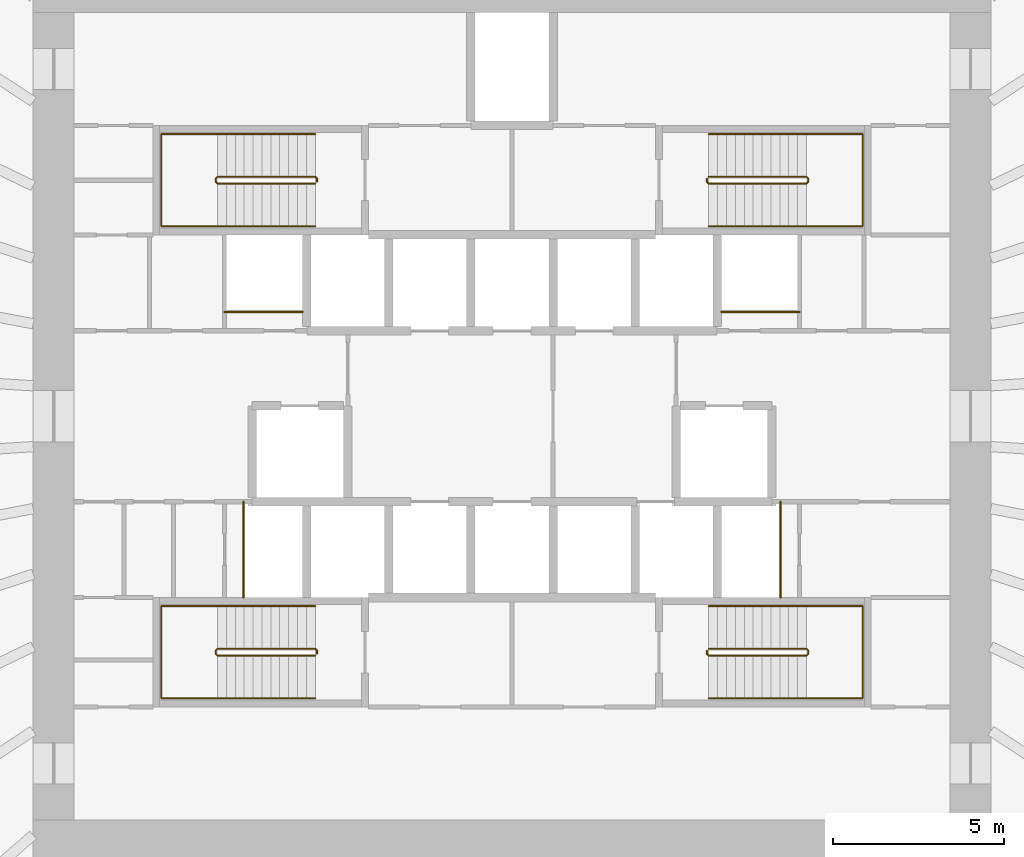
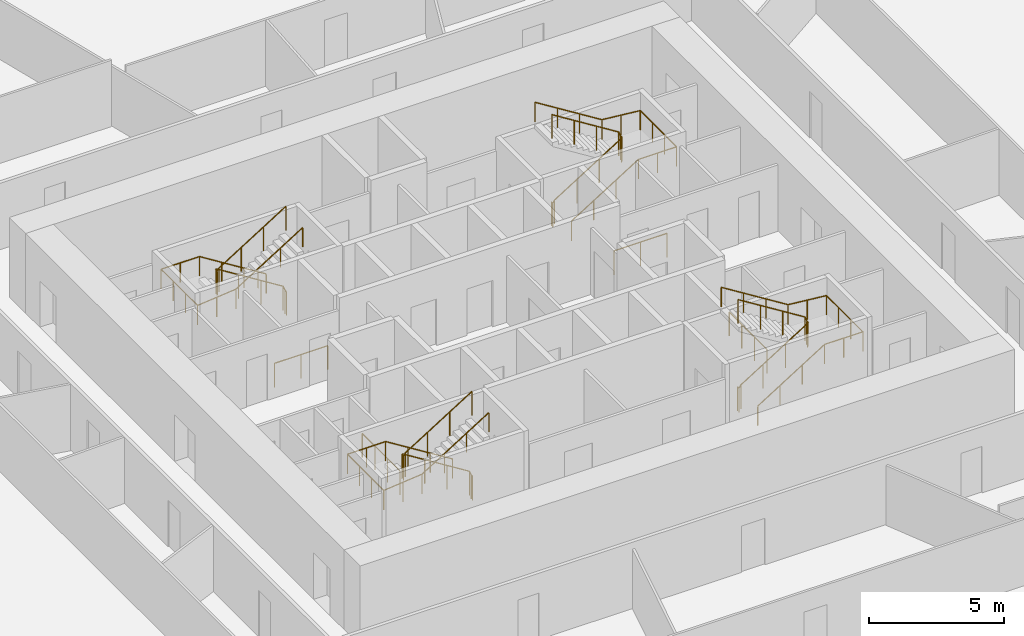
# One storey, part 10 of 10: 12 railings.
"""IFC4 building model written with IfcOpenShell, lengths in metres."""

from ifc_helpers import new_model, si_unit, direction, frame, origin, origin_2d, place, context, subcontext, project, spatial, circle, extrude, source, transform, mapped, material, type_object, element, save


model = new_model("IFC4")

# Units and contexts
model_context = context("Model", 3, precision=1e-05, world=origin(), true_north=direction((0.0, 1.0)))
body_context = subcontext(model_context, "Body", "Model", "MODEL_VIEW")
ifc_project = project(units=[si_unit("LENGTHUNIT", "METRE"), si_unit("AREAUNIT", "SQUARE_METRE"), si_unit("VOLUMEUNIT", "CUBIC_METRE"), si_unit("PLANEANGLEUNIT", "RADIAN"), si_unit("MASSUNIT", "GRAM", prefix="KILO")], contexts=[model_context])

# Site, building, storey
site_placement = place(None, origin())
site = spatial("IfcSite", under=ifc_project, at=site_placement, CompositionType="ELEMENT")
building_placement = place(site_placement, origin())
building = spatial("IfcBuilding", under=site, at=building_placement, Name="Embergate Tower", CompositionType="ELEMENT")
storey_placement = place(building_placement, frame((0.0, 0.0, 97.10009765625)))
storey = spatial("IfcBuildingStorey", under=building, at=storey_placement, Name="L20", CompositionType="ELEMENT", Elevation=97.10009765625)

# Railings
ifc_material_1 = material(Name="Stair handrail 900")
railing_type_1 = type_object("IfcRailingType", Name="Stair handrail 900", PredefinedType="HANDRAIL", material=ifc_material_1)
shared_shape_1 = source(origin(), body_context, "Body", "SweptSolid", [
    extrude(circle(Radius=0.02392578125, at=origin_2d()), frame((0.0, 0.0, 0.8759765625), z_axis=(-0.847994237388, 0.0, 0.530005446535), x_axis=(0.0, -1.0, 0.0)), (0.0, 0.0, 1.0), 3.372802734375),
    extrude(circle(Radius=0.02392578125, at=origin_2d()), frame((-2.860107421875, 0.0, 2.66357421875), z_axis=(-1.0, 0.0, 0.0), x_axis=(0.0, -1.0, 0.0)), (0.0, 0.0, 1.0), 1.639892578125),
    extrude(circle(Radius=0.02392578125, at=origin_2d()), frame((-4.5, 0.0, 2.66357421875), z_axis=(0.0, -1.0, 0.0), x_axis=(1.0, 0.0, 0.0)), (0.0, 0.0, 1.0), 2.699951171875),
    extrude(circle(Radius=0.02392578125, at=origin_2d()), frame((-4.5, -2.699951171875, 2.66357421875), z_axis=(0.995134983717, 0.0, 0.098520881967), x_axis=(0.0, 1.0, 0.0)), (0.0, 0.0, 1.0), 1.64794921875),
    extrude(circle(Radius=0.02392578125, at=origin_2d()), frame((-2.860107421875, -2.699951171875, 2.82568359375), z_axis=(0.847994237388, 0.0, 0.530005446535), x_axis=(0.0, 1.0, 0.0)), (0.0, 0.0, 1.0), 3.372802734375),
    extrude(circle(Radius=0.02099609375, at=origin_2d()), origin(), (0.0, 0.0, 1.0), 0.851806640625),
    extrude(circle(Radius=0.02099609375, at=origin_2d()), frame((-0.953369140625, 0.0, 0.595947265625)), (0.0, 0.0, 1.0), 0.851806640625),
    extrude(circle(Radius=0.02099609375, at=origin_2d()), frame((-1.90673828125, 0.0, 1.191650390625)), (0.0, 0.0, 1.0), 0.851806640625),
    extrude(circle(Radius=0.02099609375, at=origin_2d()), frame((-2.860107421875, 0.0, 1.78759765625)), (0.0, 0.0, 1.0), 0.851806640625),
    extrude(circle(Radius=0.02099609375, at=origin_2d()), frame((-3.68017578125, 0.0, 1.78759765625)), (0.0, 0.0, 1.0), 0.851806640625),
    extrude(circle(Radius=0.02099609375, at=origin_2d()), frame((-4.5, 0.0, 1.78759765625)), (0.0, 0.0, 1.0), 0.851806640625),
    extrude(circle(Radius=0.02099609375, at=origin_2d()), frame((-4.5, -0.89990234375, 1.78759765625)), (0.0, 0.0, 1.0), 0.851806640625),
    extrude(circle(Radius=0.02099609375, at=origin_2d()), frame((-4.5, -1.800048828125, 1.78759765625)), (0.0, 0.0, 1.0), 0.851806640625),
    extrude(circle(Radius=0.02099609375, at=origin_2d()), frame((-4.5, -2.699951171875, 1.78759765625)), (0.0, 0.0, 1.0), 0.851806640625),
    extrude(circle(Radius=0.02099609375, at=origin_2d()), frame((-3.68017578125, -2.699951171875, 1.86865234375)), (0.0, 0.0, 1.0), 0.851806640625),
    extrude(circle(Radius=0.02099609375, at=origin_2d()), frame((-2.860107421875, -2.699951171875, 1.949951171875)), (0.0, 0.0, 1.0), 0.851806640625),
    extrude(circle(Radius=0.02099609375, at=origin_2d()), frame((-1.90673828125, -2.699951171875, 2.5458984375)), (0.0, 0.0, 1.0), 0.851806640625),
    extrude(circle(Radius=0.02099609375, at=origin_2d()), frame((-0.953369140625, -2.699951171875, 3.1416015625)), (0.0, 0.0, 1.0), 0.851806640625),
    extrude(circle(Radius=0.02099609375, at=origin_2d()), frame((0.0, -2.699951171875, 3.737548828125)), (0.0, 0.0, 1.0), 0.851806640625),
])
for number, where, name in (
    (1, (-5.75, 8.25, 0.162353515625), "L20 ST1 stair handrail 1"),
    (2, (-5.75, -5.550048828125, 0.162353515625), "L20 ST3 stair handrail 1"),
):
    element("IfcRailing", number, at=place(storey_placement, frame(where)), inside=storey, type_object=railing_type_1, Name=name, PredefinedType="HANDRAIL", context=body_context, shape_type="MappedRepresentation", body=[
        mapped(shared_shape_1, transform((0.0, 0.0, 0.0))),
    ])
ifc_material_2 = material(Name="Stair guard 1100")
railing_type_2 = type_object("IfcRailingType", Name="Stair guard 1100", PredefinedType="GUARDRAIL", material=ifc_material_2)
shared_shape_2 = source(origin(), body_context, "Body", "SweptSolid", [
    extrude(circle(Radius=0.02392578125, at=origin_2d()), frame((0.0, 0.0, 1.076171875), z_axis=(0.0, 1.0, 0.0), x_axis=(-1.0, 0.0, 0.0)), (0.0, 0.0, 1.0), 0.099853515625),
    extrude(circle(Radius=0.02392578125, at=origin_2d()), frame((0.0, 0.099853515625, 1.076171875), z_axis=(-0.282583949758, 0.282583949758, 0.916674763849), x_axis=(-0.707106781187, -0.707106781187, 0.0)), (0.0, 0.0, 1.0), 0.177001953125),
    extrude(circle(Radius=0.02392578125, at=origin_2d()), frame((-0.050048828125, 0.14990234375, 1.23828125), z_axis=(-0.847994237388, 0.0, 0.530005446535), x_axis=(0.0, -1.0, 0.0)), (0.0, 0.0, 1.0), 3.372802734375),
    extrude(circle(Radius=0.02392578125, at=origin_2d()), frame((-2.91015625, 0.14990234375, 3.02587890625), z_axis=(-0.705375805398, -0.708833529934, 0.0), x_axis=(0.708833529934, -0.705375805398, 0.0)), (0.0, 0.0, 1.0), 0.070556640625),
    extrude(circle(Radius=0.02392578125, at=origin_2d()), frame((-2.9599609375, 0.099853515625, 3.02587890625), z_axis=(0.0, -1.0, 0.0), x_axis=(1.0, 0.0, 0.0)), (0.0, 0.0, 1.0), 0.099853515625),
    extrude(circle(Radius=0.02392578125, at=origin_2d()), frame((-2.9599609375, 0.0, 3.02587890625), z_axis=(0.281314826061, -0.282693820306, 0.917031173188), x_axis=(0.708833529934, 0.705375805398, 0.0)), (0.0, 0.0, 1.0), 0.177001953125),
    extrude(circle(Radius=0.02392578125, at=origin_2d()), frame((-2.91015625, -0.050048828125, 3.1884765625), z_axis=(0.847994237388, 0.0, 0.530005446535), x_axis=(0.0, 1.0, 0.0)), (0.0, 0.0, 1.0), 3.372802734375),
    extrude(circle(Radius=0.02099609375, at=origin_2d()), origin(), (0.0, 0.0, 1.0), 1.052001953125),
    extrude(circle(Radius=0.02099609375, at=origin_2d()), frame((0.0, 0.099853515625, 0.0)), (0.0, 0.0, 1.0), 1.052001953125),
    extrude(circle(Radius=0.02099609375, at=origin_2d()), frame((-0.050048828125, 0.14990234375, 0.162353515625)), (0.0, 0.0, 1.0), 1.052001953125),
    extrude(circle(Radius=0.02099609375, at=origin_2d()), frame((-1.00341796875, 0.14990234375, 0.75830078125)), (0.0, 0.0, 1.0), 1.052001953125),
    extrude(circle(Radius=0.02099609375, at=origin_2d()), frame((-1.956787109375, 0.14990234375, 1.35400390625)), (0.0, 0.0, 1.0), 1.052001953125),
    extrude(circle(Radius=0.02099609375, at=origin_2d()), frame((-2.91015625, 0.14990234375, 1.949951171875)), (0.0, 0.0, 1.0), 1.052001953125),
    extrude(circle(Radius=0.02099609375, at=origin_2d()), frame((-2.9599609375, 0.099853515625, 1.949951171875)), (0.0, 0.0, 1.0), 1.052001953125),
    extrude(circle(Radius=0.02099609375, at=origin_2d()), frame((-2.9599609375, 0.0, 1.949951171875)), (0.0, 0.0, 1.0), 1.052001953125),
    extrude(circle(Radius=0.02099609375, at=origin_2d()), frame((-2.91015625, -0.050048828125, 2.1123046875)), (0.0, 0.0, 1.0), 1.052001953125),
    extrude(circle(Radius=0.02099609375, at=origin_2d()), frame((-1.956787109375, -0.050048828125, 2.708251953125)), (0.0, 0.0, 1.0), 1.052001953125),
    extrude(circle(Radius=0.02099609375, at=origin_2d()), frame((-1.00341796875, -0.050048828125, 3.303955078125)), (0.0, 0.0, 1.0), 1.052001953125),
    extrude(circle(Radius=0.02099609375, at=origin_2d()), frame((-0.050048828125, -0.050048828125, 3.89990234375)), (0.0, 0.0, 1.0), 1.052001953125),
])
for number, where, name in (
    (3, (-5.699951171875, 6.85009765625, 0.0), "L20 ST1 stair guard 1"),
    (4, (-5.699951171875, -6.949951171875, 0.0), "L20 ST3 stair guard 1"),
):
    element("IfcRailing", number, at=place(storey_placement, frame(where)), inside=storey, type_object=railing_type_2, Name=name, PredefinedType="GUARDRAIL", context=body_context, shape_type="MappedRepresentation", body=[
        mapped(shared_shape_2, transform((0.0, 0.0, 0.0))),
    ])
shared_shape_3 = source(origin(), body_context, "Body", "SweptSolid", [
    extrude(circle(Radius=0.02392578125, at=origin_2d()), frame((0.0, 0.0, 0.8759765625), z_axis=(0.847994237388, 0.0, 0.530005446535), x_axis=(0.0, 1.0, 0.0)), (0.0, 0.0, 1.0), 3.372802734375),
    extrude(circle(Radius=0.02392578125, at=origin_2d()), frame((2.860107421875, 0.0, 2.66357421875), z_axis=(1.0, 0.0, 0.0), x_axis=(0.0, 1.0, 0.0)), (0.0, 0.0, 1.0), 1.639892578125),
    extrude(circle(Radius=0.02392578125, at=origin_2d()), frame((4.5, 0.0, 2.66357421875), z_axis=(0.0, 1.0, 0.0), x_axis=(-1.0, 0.0, 0.0)), (0.0, 0.0, 1.0), 2.699951171875),
    extrude(circle(Radius=0.02392578125, at=origin_2d()), frame((4.5, 2.699951171875, 2.66357421875), z_axis=(-0.995134983717, 0.0, 0.098520881967), x_axis=(0.0, -1.0, 0.0)), (0.0, 0.0, 1.0), 1.64794921875),
    extrude(circle(Radius=0.02392578125, at=origin_2d()), frame((2.860107421875, 2.699951171875, 2.82568359375), z_axis=(-0.847994237388, 0.0, 0.530005446535), x_axis=(0.0, -1.0, 0.0)), (0.0, 0.0, 1.0), 3.372802734375),
    extrude(circle(Radius=0.02099609375, at=origin_2d()), origin(), (0.0, 0.0, 1.0), 0.851806640625),
    extrude(circle(Radius=0.02099609375, at=origin_2d()), frame((0.953369140625, 0.0, 0.595947265625)), (0.0, 0.0, 1.0), 0.851806640625),
    extrude(circle(Radius=0.02099609375, at=origin_2d()), frame((1.90673828125, 0.0, 1.191650390625)), (0.0, 0.0, 1.0), 0.851806640625),
    extrude(circle(Radius=0.02099609375, at=origin_2d()), frame((2.860107421875, 0.0, 1.78759765625)), (0.0, 0.0, 1.0), 0.851806640625),
    extrude(circle(Radius=0.02099609375, at=origin_2d()), frame((3.68017578125, 0.0, 1.78759765625)), (0.0, 0.0, 1.0), 0.851806640625),
    extrude(circle(Radius=0.02099609375, at=origin_2d()), frame((4.5, 0.0, 1.78759765625)), (0.0, 0.0, 1.0), 0.851806640625),
    extrude(circle(Radius=0.02099609375, at=origin_2d()), frame((4.5, 0.89990234375, 1.78759765625)), (0.0, 0.0, 1.0), 0.851806640625),
    extrude(circle(Radius=0.02099609375, at=origin_2d()), frame((4.5, 1.800048828125, 1.78759765625)), (0.0, 0.0, 1.0), 0.851806640625),
    extrude(circle(Radius=0.02099609375, at=origin_2d()), frame((4.5, 2.699951171875, 1.78759765625)), (0.0, 0.0, 1.0), 0.851806640625),
    extrude(circle(Radius=0.02099609375, at=origin_2d()), frame((3.68017578125, 2.699951171875, 1.86865234375)), (0.0, 0.0, 1.0), 0.851806640625),
    extrude(circle(Radius=0.02099609375, at=origin_2d()), frame((2.860107421875, 2.699951171875, 1.949951171875)), (0.0, 0.0, 1.0), 0.851806640625),
    extrude(circle(Radius=0.02099609375, at=origin_2d()), frame((1.90673828125, 2.699951171875, 2.5458984375)), (0.0, 0.0, 1.0), 0.851806640625),
    extrude(circle(Radius=0.02099609375, at=origin_2d()), frame((0.953369140625, 2.699951171875, 3.1416015625)), (0.0, 0.0, 1.0), 0.851806640625),
    extrude(circle(Radius=0.02099609375, at=origin_2d()), frame((0.0, 2.699951171875, 3.737548828125)), (0.0, 0.0, 1.0), 0.851806640625),
])
for number, where, name in (
    (5, (5.75, 5.550048828125, 0.162353515625), "L20 ST2 stair handrail 1"),
    (6, (5.75, -8.25, 0.162353515625), "L20 ST4 stair handrail 1"),
):
    element("IfcRailing", number, at=place(storey_placement, frame(where)), inside=storey, type_object=railing_type_1, Name=name, PredefinedType="HANDRAIL", context=body_context, shape_type="MappedRepresentation", body=[
        mapped(shared_shape_3, transform((0.0, 0.0, 0.0))),
    ])
shared_shape_4 = source(origin(), body_context, "Body", "SweptSolid", [
    extrude(circle(Radius=0.02392578125, at=origin_2d()), frame((0.0, 0.0, 1.076171875), z_axis=(0.0, -1.0, 0.0), x_axis=(1.0, 0.0, 0.0)), (0.0, 0.0, 1.0), 0.099853515625),
    extrude(circle(Radius=0.02392578125, at=origin_2d()), frame((0.0, -0.099853515625, 1.076171875), z_axis=(0.282583949758, -0.282583949758, 0.916674763849), x_axis=(0.707106781187, 0.707106781187, 0.0)), (0.0, 0.0, 1.0), 0.177001953125),
    extrude(circle(Radius=0.02392578125, at=origin_2d()), frame((0.050048828125, -0.14990234375, 1.23828125), z_axis=(0.847994237388, 0.0, 0.530005446535), x_axis=(0.0, 1.0, 0.0)), (0.0, 0.0, 1.0), 3.372802734375),
    extrude(circle(Radius=0.02392578125, at=origin_2d()), frame((2.91015625, -0.14990234375, 3.02587890625), z_axis=(0.705375805398, 0.708833529934, 0.0), x_axis=(-0.708833529934, 0.705375805398, 0.0)), (0.0, 0.0, 1.0), 0.070556640625),
    extrude(circle(Radius=0.02392578125, at=origin_2d()), frame((2.9599609375, -0.099853515625, 3.02587890625), z_axis=(0.0, 1.0, 0.0), x_axis=(-1.0, 0.0, 0.0)), (0.0, 0.0, 1.0), 0.099853515625),
    extrude(circle(Radius=0.02392578125, at=origin_2d()), frame((2.9599609375, 0.0, 3.02587890625), z_axis=(-0.281314826061, 0.282693820306, 0.917031173188), x_axis=(-0.708833529934, -0.705375805398, 0.0)), (0.0, 0.0, 1.0), 0.177001953125),
    extrude(circle(Radius=0.02392578125, at=origin_2d()), frame((2.91015625, 0.050048828125, 3.1884765625), z_axis=(-0.847994237388, 0.0, 0.530005446535), x_axis=(0.0, -1.0, 0.0)), (0.0, 0.0, 1.0), 3.372802734375),
    extrude(circle(Radius=0.02099609375, at=origin_2d()), origin(), (0.0, 0.0, 1.0), 1.052001953125),
    extrude(circle(Radius=0.02099609375, at=origin_2d()), frame((0.0, -0.099853515625, 0.0)), (0.0, 0.0, 1.0), 1.052001953125),
    extrude(circle(Radius=0.02099609375, at=origin_2d()), frame((0.050048828125, -0.14990234375, 0.162353515625)), (0.0, 0.0, 1.0), 1.052001953125),
    extrude(circle(Radius=0.02099609375, at=origin_2d()), frame((1.00341796875, -0.14990234375, 0.75830078125)), (0.0, 0.0, 1.0), 1.052001953125),
    extrude(circle(Radius=0.02099609375, at=origin_2d()), frame((1.956787109375, -0.14990234375, 1.35400390625)), (0.0, 0.0, 1.0), 1.052001953125),
    extrude(circle(Radius=0.02099609375, at=origin_2d()), frame((2.91015625, -0.14990234375, 1.949951171875)), (0.0, 0.0, 1.0), 1.052001953125),
    extrude(circle(Radius=0.02099609375, at=origin_2d()), frame((2.9599609375, -0.099853515625, 1.949951171875)), (0.0, 0.0, 1.0), 1.052001953125),
    extrude(circle(Radius=0.02099609375, at=origin_2d()), frame((2.9599609375, 0.0, 1.949951171875)), (0.0, 0.0, 1.0), 1.052001953125),
    extrude(circle(Radius=0.02099609375, at=origin_2d()), frame((2.91015625, 0.050048828125, 2.1123046875)), (0.0, 0.0, 1.0), 1.052001953125),
    extrude(circle(Radius=0.02099609375, at=origin_2d()), frame((1.956787109375, 0.050048828125, 2.708251953125)), (0.0, 0.0, 1.0), 1.052001953125),
    extrude(circle(Radius=0.02099609375, at=origin_2d()), frame((1.00341796875, 0.050048828125, 3.303955078125)), (0.0, 0.0, 1.0), 1.052001953125),
    extrude(circle(Radius=0.02099609375, at=origin_2d()), frame((0.050048828125, 0.050048828125, 3.89990234375)), (0.0, 0.0, 1.0), 1.052001953125),
])
for number, where, name in (
    (7, (5.699951171875, 6.949951171875, 0.0), "L20 ST2 stair guard 1"),
    (8, (5.699951171875, -6.85009765625, 0.0), "L20 ST4 stair guard 1"),
):
    element("IfcRailing", number, at=place(storey_placement, frame(where)), inside=storey, type_object=railing_type_2, Name=name, PredefinedType="GUARDRAIL", context=body_context, shape_type="MappedRepresentation", body=[
        mapped(shared_shape_4, transform((0.0, 0.0, 0.0))),
    ])
ifc_material_3 = material(Name="Opening guard 1100")
railing_type_3 = type_object("IfcRailingType", Name="Opening guard 1100", PredefinedType="GUARDRAIL", material=ifc_material_3)
shared_shape_5 = source(origin(), body_context, "Body", "SweptSolid", [
    extrude(circle(Radius=0.02392578125, at=origin_2d()), frame((0.0, 0.0, 1.076171875), z_axis=(1.0, 0.0, 0.0), x_axis=(0.0, 1.0, 0.0)), (0.0, 0.0, 1.0), 2.27490234375),
    extrude(circle(Radius=0.02099609375, at=origin_2d()), origin(), (0.0, 0.0, 1.0), 1.052001953125),
    extrude(circle(Radius=0.02099609375, at=origin_2d()), frame((1.137451171875, 0.0, 0.0)), (0.0, 0.0, 1.0), 1.052001953125),
    extrude(circle(Radius=0.02099609375, at=origin_2d()), frame((2.27490234375, 0.0, 0.0)), (0.0, 0.0, 1.0), 1.052001953125),
])
for number, where, name in (
    (9, (-8.39990234375, 3.050048828125, 0.0), "Riser opening guard"),
    (10, (6.125, 3.050048828125, 0.0), "Riser opening guard"),
):
    element("IfcRailing", number, at=place(storey_placement, frame(where)), inside=storey, type_object=railing_type_3, Name=name, PredefinedType="GUARDRAIL", context=body_context, shape_type="MappedRepresentation", body=[
        mapped(shared_shape_5, transform((0.0, 0.0, 0.0))),
    ])
shared_shape_6 = source(origin(), body_context, "Body", "SweptSolid", [
    extrude(circle(Radius=0.02392578125, at=origin_2d()), frame((0.0, 0.0, 1.076171875), z_axis=(0.0, 1.0, 0.0), x_axis=(-1.0, 0.0, 0.0)), (0.0, 0.0, 1.0), 2.800048828125),
    extrude(circle(Radius=0.02099609375, at=origin_2d()), origin(), (0.0, 0.0, 1.0), 1.052001953125),
    extrude(circle(Radius=0.02099609375, at=origin_2d()), frame((0.0, 0.933349609375, 0.0)), (0.0, 0.0, 1.0), 1.052001953125),
    extrude(circle(Radius=0.02099609375, at=origin_2d()), frame((0.0, 1.86669921875, 0.0)), (0.0, 0.0, 1.0), 1.052001953125),
    extrude(circle(Radius=0.02099609375, at=origin_2d()), frame((0.0, 2.800048828125, 0.0)), (0.0, 0.0, 1.0), 1.052001953125),
])
for number, where, name in (
    (11, (-7.85009765625, -5.300048828125, 0.0), "Riser opening guard"),
    (12, (7.85009765625, -5.300048828125, 0.0), "Riser opening guard"),
):
    element("IfcRailing", number, at=place(storey_placement, frame(where)), inside=storey, type_object=railing_type_3, Name=name, PredefinedType="GUARDRAIL", context=body_context, shape_type="MappedRepresentation", body=[
        mapped(shared_shape_6, transform((0.0, 0.0, 0.0))),
    ])

save(model, "model.ifc")
